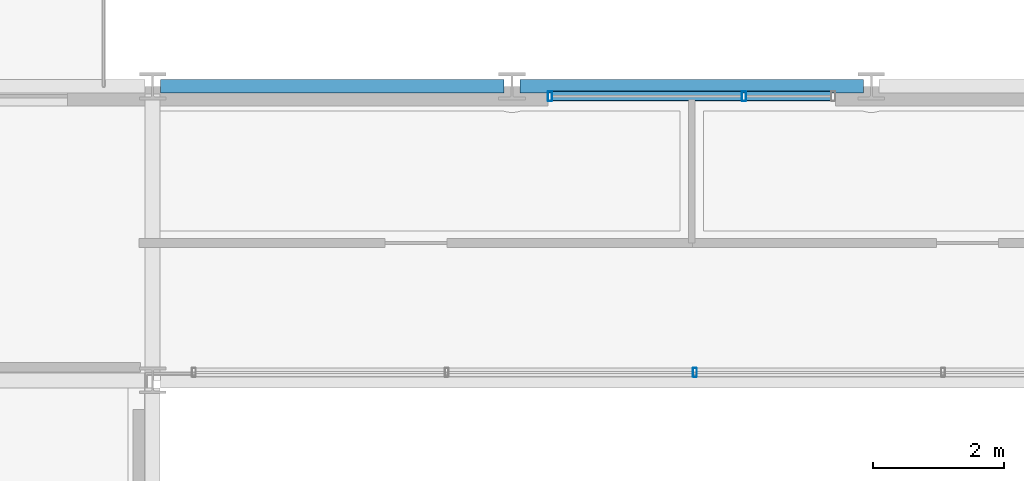
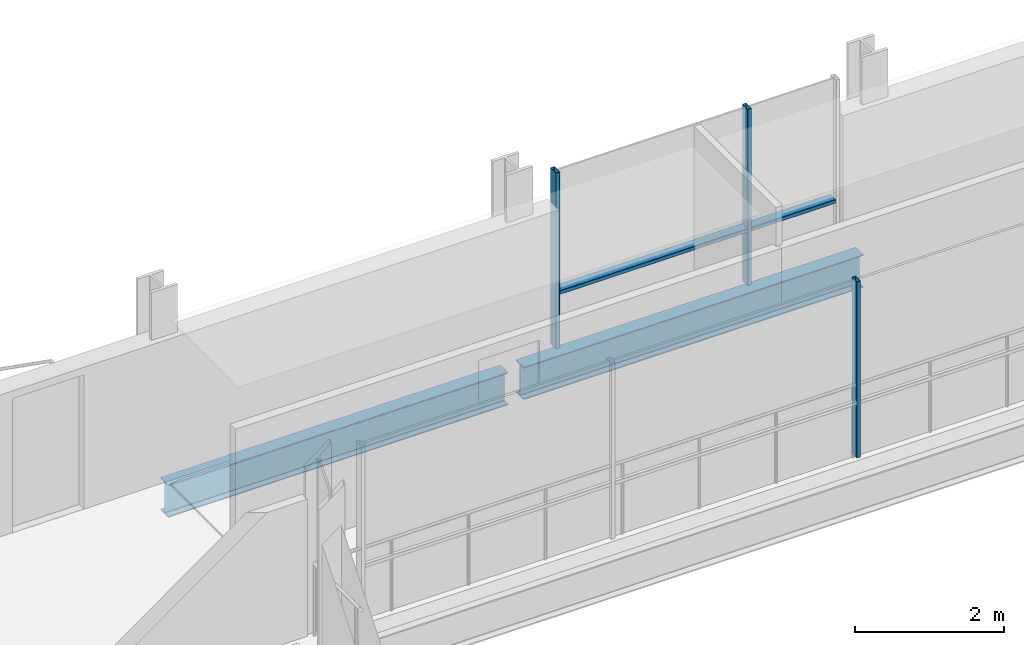
# One storey, part 13 of 40: 5 members, 2 beams, 2 elements without a shape of their own.
"""IFC4 building model written with IfcOpenShell, lengths in metres."""

from ifc_helpers import new_model, si_unit, direction, frame, origin, origin_2d, place, context, subcontext, project, spatial, hollow_rectangle, i_section, extrude, material, layer, layer_set, material_profile, profile_set, type_object, element, aggregate, save


model = new_model("IFC4")

# Units and contexts
model_context = context("Model", 3, precision=1e-05, world=origin(), true_north=direction((0.0, 1.0)))
body_context = subcontext(model_context, "Body", "Model", "MODEL_VIEW")
ifc_project = project(units=[si_unit("LENGTHUNIT", "METRE"), si_unit("AREAUNIT", "SQUARE_METRE"), si_unit("VOLUMEUNIT", "CUBIC_METRE"), si_unit("PLANEANGLEUNIT", "RADIAN"), si_unit("MASSUNIT", "GRAM", prefix="KILO")], contexts=[model_context])

# Site, building, storey
site_placement = place(None, origin())
site = spatial("IfcSite", under=ifc_project, at=site_placement, CompositionType="ELEMENT")
building_placement = place(site_placement, origin())
building = spatial("IfcBuilding", under=site, at=building_placement, Name="Brevholm Reach", CompositionType="ELEMENT")
storey_placement = place(building_placement, frame((0.0, 0.0, 160.39990234375)))
storey = spatial("IfcBuildingStorey", under=building, at=storey_placement, Name="L48", CompositionType="ELEMENT", Elevation=160.39990234375)

# Beams
ifc_material_1 = material(Name="Structural Steel S355J2", Category="steel")
ifc_material_profile_1 = material_profile(ifc_material_1, i_section(OverallWidth=0.209228515625, OverallDepth=0.533203125, WebThickness=0.010009765625, FlangeThickness=0.015625, FilletRadius=0.0126953125, at=origin_2d()), Name="UKB 533x210x92")
ifc_profile_set_1 = profile_set([ifc_material_profile_1], Name="Structural Steel S355J2")
beam_type = type_object("IfcBeamType", Name="BM-SP533", PredefinedType="SPANDREL", material=ifc_profile_set_1)
for number, where, z_axis, x_axis, name in (
    (1, (21.8701171875, 31.0, -0.486572265625), (1.0, 0.0, 0.0), (0.0, 1.0, 0.0), "L48 SP-02 Framing Beam"),
    (2, (27.3701171875, 31.0, -0.486572265625), (1.0, 0.0, 0.0), (0.0, 1.0, 0.0), "L48 SP-02 Framing Beam"),
):
    element("IfcBeam", number, at=place(storey_placement, frame(where, z_axis=z_axis, x_axis=x_axis)), inside=storey, type_object=beam_type, Name=name, PredefinedType="SPANDREL", context=body_context, shape_type="SweptSolid", body=[
        extrude(i_section(OverallWidth=0.209228515625, OverallDepth=0.533203125, WebThickness=0.010009765625, FlangeThickness=0.015625, FilletRadius=0.0126953125, at=origin_2d()), origin(), (0.0, 0.0, 1.0), 5.259765625),
    ])

# Curtain wall, member
ifc_material_2 = material(Name="Dark Anodised Aluminium 6063-T6 and Solar-Control Glass", Category="aluminium")
ifc_layer_1 = layer(ifc_material_2, 0.139892578125)
ifc_layer_set_1 = layer_set([ifc_layer_1], Name="Dark Anodised Aluminium 6063-T6 and Solar-Control Glass")
curtain_wall_type_1 = type_object("IfcCurtainWallType", Name="CW-02", PredefinedType="NOTDEFINED", material=ifc_layer_set_1)
curtain_wall_1_placement = place(storey_placement, origin())
curtain_wall_1 = element("IfcCurtainWall", 3, at=curtain_wall_1_placement, inside=storey, type_object=curtain_wall_type_1, Name="L48 Curtain Wall CW-02", PredefinedType="NOTDEFINED")
ifc_material_3 = material(Name="Dark Anodised Aluminium 6063-T6", Category="aluminium")
ifc_material_profile_2 = material_profile(ifc_material_3, hollow_rectangle(XDim=0.06005859375, YDim=0.139892578125, WallThickness=0.0048828125, InnerFilletRadius=0.0048828125, OuterFilletRadius=0.010009765625, at=origin_2d()), Name="RHS 140x60x5")
ifc_profile_set_2 = profile_set([ifc_material_profile_2], Name="Dark Anodised Aluminium 6063-T6")
member_type_1 = type_object("IfcMemberType", Name="CWM-140", PredefinedType="MULLION", material=ifc_profile_set_2)
member_1_placement = place(storey_placement, frame((30.050048828125, 26.6201171875, 0.0), z_axis=(0.0, 0.0, 1.0), x_axis=(-1.0, 0.0, 0.0)))
member_1 = element("IfcMember", 4, at=member_1_placement, type_object=member_type_1, Name="CM-140 Mullion 3", PredefinedType="MULLION", context=body_context, shape_type="SweptSolid", body=[
    extrude(hollow_rectangle(XDim=0.06005859375, YDim=0.139892578125, WallThickness=0.0048828125, InnerFilletRadius=0.0048828125, OuterFilletRadius=0.010009765625, at=origin_2d()), origin(), (0.0, 0.0, 1.0), 2.880126953125),
])
aggregate(curtain_wall_1, [member_1])

# Curtain wall, members
ifc_material_4 = material(Name="Dark Anodised Aluminium 6063-T6 and Solar-Control Glass", Category="aluminium")
ifc_layer_2 = layer(ifc_material_4, 0.14990234375)
ifc_layer_set_2 = layer_set([ifc_layer_2], Name="Dark Anodised Aluminium 6063-T6 and Solar-Control Glass")
curtain_wall_type_2 = type_object("IfcCurtainWallType", Name="CW-01", PredefinedType="NOTDEFINED", material=ifc_layer_set_2)
curtain_wall_2_placement = place(storey_placement, origin())
curtain_wall_2 = element("IfcCurtainWall", 5, at=curtain_wall_2_placement, inside=storey, type_object=curtain_wall_type_2, Name="L48 Curtain Wall CW-01", PredefinedType="NOTDEFINED")
ifc_material_5 = material(Name="Dark Anodised Aluminium 6063-T6", Category="aluminium")
ifc_material_profile_3 = material_profile(ifc_material_5, hollow_rectangle(XDim=0.06494140625, YDim=0.14990234375, WallThickness=0.0048828125, InnerFilletRadius=0.0048828125, OuterFilletRadius=0.010009765625, at=origin_2d()), Name="RHS 150x65x5")
ifc_profile_set_3 = profile_set([ifc_material_profile_3], Name="Dark Anodised Aluminium 6063-T6")
member_type_2 = type_object("IfcMemberType", Name="CWM-150", PredefinedType="MULLION", material=ifc_profile_set_3)
member_2_placement = place(storey_placement, frame((27.83251953125, 30.85009765625, 0.0), z_axis=(0.0, 0.0, 1.0), x_axis=(1.0, 0.0, 0.0)))
member_2 = element("IfcMember", 6, at=member_2_placement, type_object=member_type_2, Name="CM-150 Mullion 1", PredefinedType="MULLION", context=body_context, shape_type="SweptSolid", body=[
    extrude(hollow_rectangle(XDim=0.06494140625, YDim=0.14990234375, WallThickness=0.0048828125, InnerFilletRadius=0.0048828125, OuterFilletRadius=0.010009765625, at=origin_2d()), origin(), (0.0, 0.0, 1.0), 2.880126953125),
])
member_3_placement = place(storey_placement, frame((30.800048828125, 30.85009765625, 0.0), z_axis=(0.0, 0.0, 1.0), x_axis=(1.0, 0.0, 0.0)))
member_3 = element("IfcMember", 7, at=member_3_placement, type_object=member_type_2, Name="CM-150 Mullion 2", PredefinedType="MULLION", context=body_context, shape_type="SweptSolid", body=[
    extrude(hollow_rectangle(XDim=0.06494140625, YDim=0.14990234375, WallThickness=0.0048828125, InnerFilletRadius=0.0048828125, OuterFilletRadius=0.010009765625, at=origin_2d()), origin(), (0.0, 0.0, 1.0), 2.880126953125),
])
ifc_material_6 = material(Name="Dark Anodised Aluminium 6063-T6", Category="aluminium")
ifc_material_profile_4 = material_profile(ifc_material_6, hollow_rectangle(XDim=0.06494140625, YDim=0.14990234375, WallThickness=0.0048828125, InnerFilletRadius=0.0048828125, OuterFilletRadius=0.010009765625, at=origin_2d()), Name="RHS 150x65x5")
ifc_profile_set_4 = profile_set([ifc_material_profile_4], Name="Dark Anodised Aluminium 6063-T6")
member_type_3 = type_object("IfcMemberType", Name="CWT-150", PredefinedType="NOTDEFINED", material=ifc_profile_set_4)
member_4_placement = place(storey_placement, frame((27.864990234375, 30.85009765625, 0.900146484375), z_axis=(1.0, 0.0, 0.0), x_axis=(0.0, 0.0, 1.0)))
member_4 = element("IfcMember", 8, at=member_4_placement, type_object=member_type_3, Name="CT-150 Transom 1.1", ObjectType="TRANSOM", PredefinedType="USERDEFINED", context=body_context, shape_type="SweptSolid", body=[
    extrude(hollow_rectangle(XDim=0.06494140625, YDim=0.14990234375, WallThickness=0.0048828125, InnerFilletRadius=0.0048828125, OuterFilletRadius=0.010009765625, at=origin_2d()), origin(), (0.0, 0.0, 1.0), 2.902587890625),
])
member_5_placement = place(storey_placement, frame((30.83251953125, 30.85009765625, 0.900146484375), z_axis=(1.0, 0.0, 0.0), x_axis=(0.0, 0.0, 1.0)))
member_5 = element("IfcMember", 9, at=member_5_placement, type_object=member_type_3, Name="CT-150 Transom 2.1", ObjectType="TRANSOM", PredefinedType="USERDEFINED", context=body_context, shape_type="SweptSolid", body=[
    extrude(hollow_rectangle(XDim=0.06494140625, YDim=0.14990234375, WallThickness=0.0048828125, InnerFilletRadius=0.0048828125, OuterFilletRadius=0.010009765625, at=origin_2d()), origin(), (0.0, 0.0, 1.0), 1.302490234375),
])
aggregate(curtain_wall_2, [member_2, member_3, member_4, member_5])

save(model, "model.ifc")
